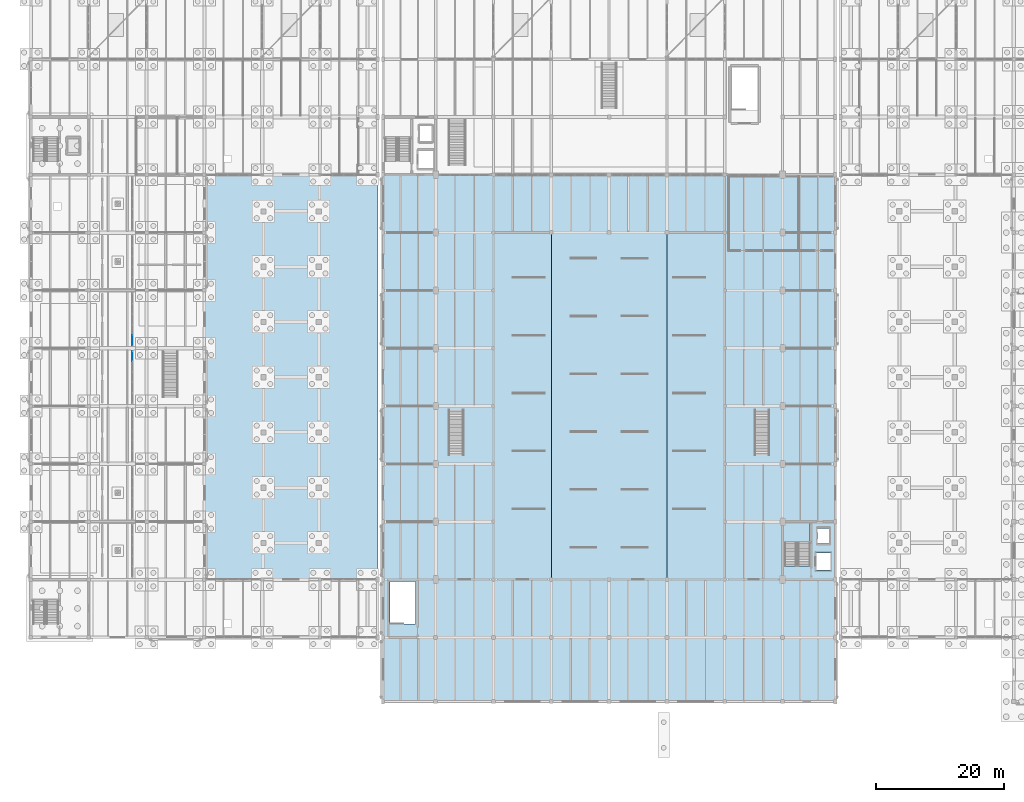
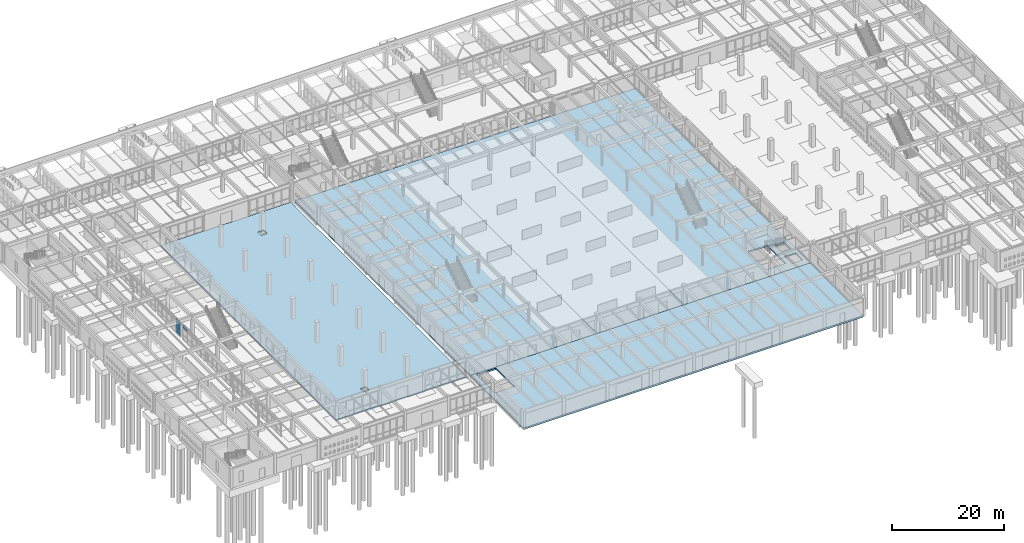
# One storey, part 143 of 186: 6 slabs, 4 plates, 3 elements without a shape of their own.
"""IFC4 building model written with IfcOpenShell, lengths in metres."""

from ifc_helpers import new_model, si_unit, direction, frame, origin, origin_2d, place, context, subcontext, project, spatial, polyline, rectangle, outline, extrude, material, layer, layer_set, type_object, element, aggregate, save


model = new_model("IFC4")

# Units and contexts
model_context = context("Model", 3, precision=1e-05, world=origin(), true_north=direction((0.0, 1.0)))
body_context = subcontext(model_context, "Body", "Model", "MODEL_VIEW")
ifc_project = project(units=[si_unit("LENGTHUNIT", "METRE"), si_unit("AREAUNIT", "SQUARE_METRE"), si_unit("VOLUMEUNIT", "CUBIC_METRE"), si_unit("PLANEANGLEUNIT", "RADIAN"), si_unit("MASSUNIT", "GRAM", prefix="KILO")], contexts=[model_context])

# Site, building, storey
site_placement = place(None, origin())
site = spatial("IfcSite", under=ifc_project, at=site_placement, CompositionType="ELEMENT")
building_placement = place(site_placement, origin())
building = spatial("IfcBuilding", under=site, at=building_placement, Name="Ornek Quay Market", CompositionType="ELEMENT")
storey_placement = place(building_placement, origin())
storey = spatial("IfcBuildingStorey", under=building, at=storey_placement, Name="L00", CompositionType="ELEMENT", Elevation=0.0)

# Curtain wall, plate
ifc_material_1 = material(Name="Anodised bronze aluminium and triple low-e glass", Category="aluminium")
ifc_layer_1 = layer(ifc_material_1, 0.179931640625, Name="Anodised bronze aluminium and triple low-e glass", Category="aluminium")
ifc_layer_set_1 = layer_set([ifc_layer_1], Name="Anodised bronze aluminium and triple low-e glass")
curtain_wall_type = type_object("IfcCurtainWallType", Name="CW-CONC-MOD1500", PredefinedType="USERDEFINED", material=ifc_layer_set_1)
curtain_wall_1_placement = place(storey_placement, origin())
curtain_wall_1 = element("IfcCurtainWall", 1, at=curtain_wall_1_placement, inside=storey, type_object=curtain_wall_type, Name="Curtain wall CW-140", ObjectType="CURTAIN WALL", PredefinedType="USERDEFINED")
ifc_material_2 = material(Name="Toughened laminated acoustic glass", Category="glass")
ifc_layer_2 = layer(ifc_material_2, 0.01611328125, Name="Toughened laminated acoustic glass", Category="glass")
ifc_layer_set_2 = layer_set([ifc_layer_2], Name="Toughened laminated acoustic glass")
plate_type = type_object("IfcPlateType", Name="PL-CW-INT-16", PredefinedType="CURTAIN_PANEL", material=ifc_layer_set_2)
plate_1_placement = place(storey_placement, frame((15.800048828125, 63.764892578125, 2.47998046875), z_axis=(0.0, 0.0, 1.0), x_axis=(0.0, 1.0, 0.0)))
plate_1 = element("IfcPlate", 2, at=plate_1_placement, type_object=plate_type, Name="CW-140 panel 5.3", PredefinedType="CURTAIN_PANEL", context=body_context, shape_type="SweptSolid", body=[
    extrude(rectangle(XDim=1.550048828125, YDim=0.01611328125, at=origin_2d()), origin(), (0.0, 0.0, 1.0), 0.760009765625),
])
aggregate(curtain_wall_1, [plate_1])

# Curtain wall, plates
curtain_wall_2_placement = place(storey_placement, origin())
curtain_wall_2 = element("IfcCurtainWall", 3, at=curtain_wall_2_placement, inside=storey, type_object=curtain_wall_type, Name="Curtain wall CW-142", ObjectType="CURTAIN WALL", PredefinedType="USERDEFINED")
plate_2_placement = place(storey_placement, frame((15.800048828125, 66.235107421875, 0.06005859375), z_axis=(0.0, 0.0, 1.0), x_axis=(0.0, 1.0, 0.0)))
plate_2 = element("IfcPlate", 4, at=plate_2_placement, type_object=plate_type, Name="CW-142 panel 1.1", PredefinedType="CURTAIN_PANEL", context=body_context, shape_type="SweptSolid", body=[
    extrude(rectangle(XDim=1.550048828125, YDim=0.01611328125, at=origin_2d()), origin(), (0.0, 0.0, 1.0), 0.9599609375),
])
plate_3_placement = place(storey_placement, frame((15.800048828125, 66.235107421875, 1.080078125), z_axis=(0.0, 0.0, 1.0), x_axis=(0.0, 1.0, 0.0)))
plate_3 = element("IfcPlate", 5, at=plate_3_placement, type_object=plate_type, Name="CW-142 panel 1.2", PredefinedType="CURTAIN_PANEL", context=body_context, shape_type="SweptSolid", body=[
    extrude(rectangle(XDim=1.550048828125, YDim=0.01611328125, at=origin_2d()), origin(), (0.0, 0.0, 1.0), 1.340087890625),
])
plate_4_placement = place(storey_placement, frame((15.800048828125, 66.235107421875, 2.47998046875), z_axis=(0.0, 0.0, 1.0), x_axis=(0.0, 1.0, 0.0)))
plate_4 = element("IfcPlate", 6, at=plate_4_placement, type_object=plate_type, Name="CW-142 panel 1.3", PredefinedType="CURTAIN_PANEL", context=body_context, shape_type="SweptSolid", body=[
    extrude(rectangle(XDim=1.550048828125, YDim=0.01611328125, at=origin_2d()), origin(), (0.0, 0.0, 1.0), 0.760009765625),
])
aggregate(curtain_wall_2, [plate_2, plate_3, plate_4])

# Slabs
ifc_material_3 = material(Name="Concrete C40/50", Category="concrete")
ifc_layer_3 = layer(ifc_material_3, 0.260009765625, Name="Concrete C40/50", Category="concrete")
ifc_layer_set_3 = layer_set([ifc_layer_3], Name="Concrete C40/50")
slab_type_1 = type_object("IfcSlabType", Name="SL-EXT-COURT-210", PredefinedType="FLOOR", material=ifc_layer_set_3)
slab_1_placement = place(storey_placement, frame((0.0, 0.0, -0.260009765625)))
element("IfcSlab", 7, at=slab_1_placement, inside=storey, type_object=slab_type_1, Name="Slab S-008 (L00)", PredefinedType="FLOOR", context=body_context, shape_type="SweptSolid", body=[
    extrude(outline(polyline([(27.0, 29.0), (54.0, 29.0), (54.0, 92.0), (27.0, 92.0), (27.0, 29.0)]), holes=[polyline([(36.800048828125, 35.300048828125), (36.800048828125, 34.10009765625), (35.60009765625, 34.10009765625), (35.60009765625, 35.300048828125), (36.800048828125, 35.300048828125)]), polyline([(45.39990234375, 86.89990234375), (45.39990234375, 85.699951171875), (44.199951171875, 85.699951171875), (44.199951171875, 86.89990234375), (45.39990234375, 86.89990234375)])]), origin(), (0.0, 0.0, 1.0), 0.260009765625),
])
ifc_layer_4 = layer(ifc_material_3, 0.340087890625, Name="Concrete C40/50", Category="concrete")
ifc_layer_set_4 = layer_set([ifc_layer_4], Name="Concrete C40/50")
slab_type_2 = type_object("IfcSlabType", Name="SL-FLR-HALL-340", PredefinedType="FLOOR", material=ifc_layer_set_4)
slab_2_placement = place(storey_placement, frame((0.0, 0.0, -0.340087890625)))
element("IfcSlab", 8, at=slab_2_placement, inside=storey, type_object=slab_type_2, Name="Slab S-011 (L00)", PredefinedType="FLOOR", context=body_context, shape_type="SweptSolid", body=[
    extrude(outline(polyline([(54.800048828125, 29.0), (81.0, 29.0), (81.0, 92.0), (54.800048828125, 92.0), (54.800048828125, 29.0)])), origin(), (0.0, 0.0, 1.0), 0.340087890625),
])
slab_3_placement = place(storey_placement, frame((0.0, 0.0, -0.340087890625)))
element("IfcSlab", 9, at=slab_3_placement, inside=storey, type_object=slab_type_2, Name="Slab S-012 (L00)", PredefinedType="FLOOR", context=body_context, shape_type="SweptSolid", body=[
    extrude(outline(polyline([(81.0, 29.0), (99.0, 29.0), (99.0, 92.0), (81.0, 92.0), (81.0, 29.0)])), origin(), (0.0, 0.0, 1.0), 0.340087890625),
])
slab_4_placement = place(storey_placement, frame((0.0, 0.0, -0.340087890625)))
element("IfcSlab", 10, at=slab_4_placement, inside=storey, type_object=slab_type_2, Name="Slab S-013 (L00)", PredefinedType="FLOOR", context=body_context, shape_type="SweptSolid", body=[
    extrude(outline(polyline([(99.0, 29.0), (125.199951171875, 29.0), (125.199951171875, 92.0), (99.0, 92.0), (99.0, 29.0)]), holes=[polyline([(124.469970703125, 33.1201171875), (124.469970703125, 30.47998046875), (122.22998046875, 30.47998046875), (122.22998046875, 33.1201171875), (124.469970703125, 33.1201171875)]), polyline([(121.300048828125, 31.10009765625), (117.300048828125, 31.10009765625), (117.300048828125, 37.699951171875), (121.300048828125, 37.699951171875), (121.300048828125, 31.10009765625)]), polyline([(124.27001953125, 34.6298828125), (122.429931640625, 34.6298828125), (122.429931640625, 36.969970703125), (124.27001953125, 36.969970703125), (124.27001953125, 34.6298828125)])]), origin(), (0.0, 0.0, 1.0), 0.340087890625),
])
ifc_layer_5 = layer(ifc_material_3, 0.3798828125, Name="Concrete C40/50", Category="concrete")
ifc_layer_set_5 = layer_set([ifc_layer_5], Name="Concrete C40/50")
slab_type_3 = type_object("IfcSlabType", Name="SL-FLR-LOAD-380", PredefinedType="FLOOR", material=ifc_layer_set_5)
slab_5_placement = place(storey_placement, frame((0.0, 0.0, -0.3798828125)))
element("IfcSlab", 11, at=slab_5_placement, inside=storey, type_object=slab_type_3, Name="Slab S-010 (L00)", PredefinedType="FLOOR", context=body_context, shape_type="SweptSolid", body=[
    extrude(outline(polyline([(54.800048828125, 10.0), (125.199951171875, 10.0), (125.199951171875, 29.0), (54.800048828125, 29.0), (54.800048828125, 10.0)]), holes=[polyline([(55.89990234375, 28.699951171875), (59.89990234375, 28.699951171875), (59.89990234375, 22.10009765625), (55.89990234375, 22.10009765625), (55.89990234375, 28.699951171875)])]), origin(), (0.0, 0.0, 1.0), 0.3798828125),
])

# Stair, slab
ifc_material_4 = material(Name="Precast concrete C40/50", Category="concrete")
stair_type = type_object("IfcStairType", Name="ST-CORE-L00-L01", PredefinedType="HALF_TURN_STAIR", material=ifc_material_4)
stair_placement = place(storey_placement, origin())
stair = element("IfcStair", 12, at=stair_placement, inside=storey, type_object=stair_type, Name="Core stair ST-04-L00 (L00 to L01)", PredefinedType="HALF_TURN_STAIR")
ifc_layer_6 = layer(ifc_material_4, 0.1650390625, Name="Precast concrete C40/50", Category="concrete")
ifc_layer_set_6 = layer_set([ifc_layer_6], Name="Precast concrete C40/50")
slab_type_4 = type_object("IfcSlabType", Name="SL-LND-165", PredefinedType="LANDING", material=ifc_layer_set_6)
slab_6_placement = place(storey_placement, frame((0.0, 0.0, 2.0849609375)))
slab_6 = element("IfcSlab", 13, at=slab_6_placement, type_object=slab_type_4, Name="ST-04-L00 landing 1", PredefinedType="LANDING", context=body_context, shape_type="SweptSolid", body=[
    extrude(outline(polyline([(117.159912109375, 34.592041015625), (121.300048828125, 34.592041015625), (121.300048828125, 37.840087890625), (117.159912109375, 37.840087890625), (117.159912109375, 34.592041015625)])), origin(), (0.0, 0.0, 1.0), 0.1650390625),
])
aggregate(stair, [slab_6])

save(model, "model.ifc")
